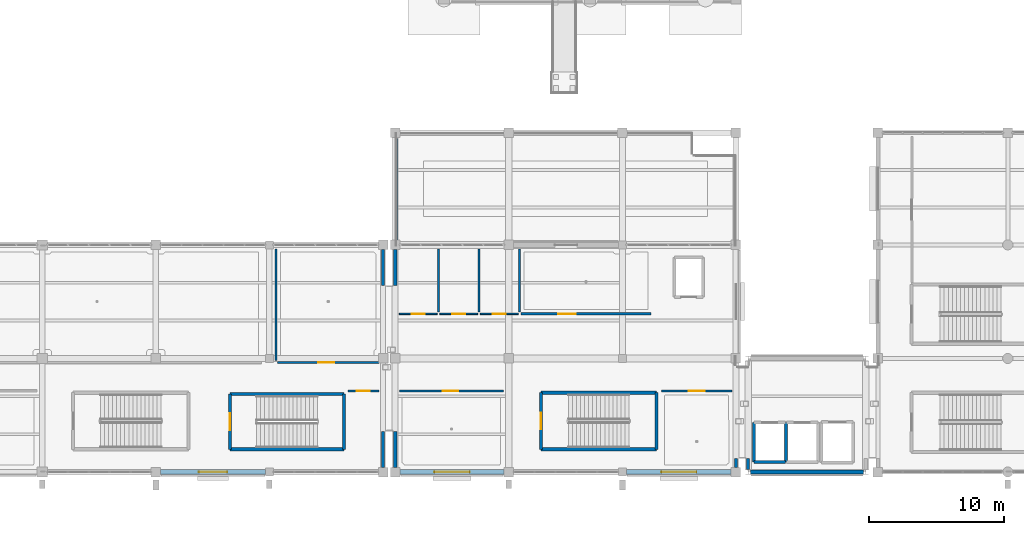
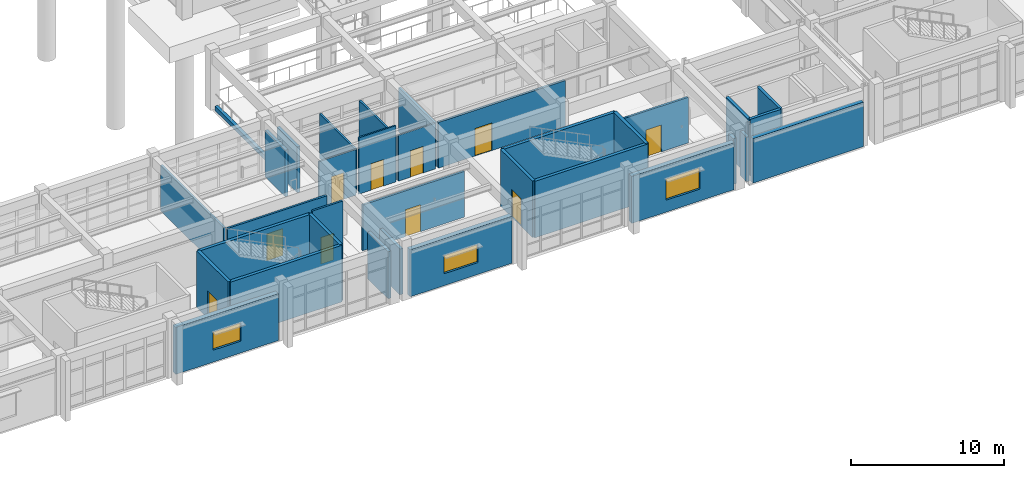
# One storey, part 76 of 98: 34 walls, 10 doors, 3 windows, 13 openings.
"""IFC4 building model written with IfcOpenShell, lengths in metres."""

from ifc_helpers import new_model, si_unit, direction, frame, frame_2d, origin, place, context, subcontext, project, spatial, rectangle, extrude, material, layer, layer_set, type_object, element, fill, save


model = new_model("IFC4")

# Units and contexts
model_context = context("Model", 3, precision=1e-05, world=origin(), true_north=direction((0.0, 1.0)))
body_context = subcontext(model_context, "Body", "Model", "MODEL_VIEW")
ifc_project = project(units=[si_unit("LENGTHUNIT", "METRE"), si_unit("AREAUNIT", "SQUARE_METRE"), si_unit("VOLUMEUNIT", "CUBIC_METRE"), si_unit("PLANEANGLEUNIT", "RADIAN"), si_unit("MASSUNIT", "GRAM", prefix="KILO")], contexts=[model_context])

# Site, building, storey
site_placement = place(None, origin())
site = spatial("IfcSite", under=ifc_project, at=site_placement, CompositionType="ELEMENT")
building_placement = place(site_placement, origin())
building = spatial("IfcBuilding", under=site, at=building_placement, Name="Canglan Escarpment Cableway Terminal", CompositionType="ELEMENT")
storey_placement = place(building_placement, frame((0.0, 0.0, 9.60009765625)))
storey = spatial("IfcBuildingStorey", under=building, at=storey_placement, Name="L02", CompositionType="ELEMENT", Elevation=9.60009765625)

# Walls
ifc_material_1 = material(Name="Concrete C40", Category="concrete")
ifc_layer_1 = layer(ifc_material_1, 0.239990234375, Name="Concrete C40")
ifc_layer_set_1 = layer_set([ifc_layer_1], Name="Concrete C40")
wall_type_1 = type_object("IfcWallType", Name="WL-CORE-SHEAR-240", PredefinedType="SHEAR", material=ifc_layer_set_1)
wall_1_placement = place(storey_placement, frame((99.280029296875, 9.679931640625, 0.0), z_axis=(0.0, 0.0, 1.0), x_axis=(1.0, 0.0, 0.0)))
element("IfcWall", 1, at=wall_1_placement, inside=storey, type_object=wall_type_1, Name="Protected stair core wall ST-14 (L02)", PredefinedType="SHEAR", context=body_context, shape_type="SweptSolid", body=[
    extrude(rectangle(XDim=8.43994140625, YDim=0.239990234375, at=frame_2d((4.219970703125, 0.0))), origin(), (0.0, 0.0, 1.0), 4.52001953125),
])
wall_2_placement = place(storey_placement, frame((107.719970703125, 9.679931640625, 0.0), z_axis=(0.0, 0.0, 1.0), x_axis=(0.0, 1.0, 0.0)))
element("IfcWall", 2, at=wall_2_placement, inside=storey, type_object=wall_type_1, Name="Protected stair core wall ST-14 (L02)", PredefinedType="SHEAR", context=body_context, shape_type="SweptSolid", body=[
    extrude(rectangle(XDim=4.090087890625, YDim=0.239990234375, at=frame_2d((2.044921875, 0.0))), origin(), (0.0, 0.0, 1.0), 4.52001953125),
])
wall_3_placement = place(storey_placement, frame((107.719970703125, 13.77001953125, 0.0), z_axis=(0.0, 0.0, 1.0), x_axis=(-1.0, 0.0, 0.0)))
element("IfcWall", 3, at=wall_3_placement, inside=storey, type_object=wall_type_1, Name="Protected stair core wall ST-14 (L02)", PredefinedType="SHEAR", context=body_context, shape_type="SweptSolid", body=[
    extrude(rectangle(XDim=8.43994140625, YDim=0.239990234375, at=frame_2d((4.219970703125, 0.0))), origin(), (0.0, 0.0, 1.0), 4.52001953125),
])

# Wall, opening, door
wall_4_placement = place(storey_placement, frame((99.280029296875, 13.77001953125, 0.0), z_axis=(0.0, 0.0, 1.0), x_axis=(0.0, -1.0, 0.0)))
wall_4 = element("IfcWall", 4, at=wall_4_placement, inside=storey, type_object=wall_type_1, Name="Protected stair core wall ST-14 (L02)", PredefinedType="SHEAR", context=body_context, shape_type="SweptSolid", body=[
    extrude(rectangle(XDim=4.090087890625, YDim=0.239990234375, at=frame_2d((2.044921875, 0.0))), origin(), (0.0, 0.0, 1.0), 4.52001953125),
])
opening_1_placement = place(wall_4_placement, frame((1.419921875, 0.0, 0.0)))
opening_1 = element("IfcOpeningElement", 5, at=opening_1_placement, cuts=wall_4, Name="Opening SD-D1", PredefinedType="OPENING", context=body_context, shape_type="SweptSolid", body=[
    extrude(rectangle(XDim=1.25, YDim=2.199951171875, at=frame_2d((0.625, 1.10009765625))), frame((0.0, 0.1298828125, 0.0), z_axis=(0.0, -1.0, 0.0), x_axis=(1.0, 0.0, 0.0)), (0.0, 0.0, 1.0), 0.260009765625),
])
ifc_material_2 = material(Name="Steel fire-resisting stair door", Category="steel")
door_type_1 = type_object("IfcDoorType", Name="DR-STAIR-EI90-1250", OperationType="NOTDEFINED", PredefinedType="DOOR", material=ifc_material_2)
door_1_placement = place(opening_1_placement, origin())
door_1 = element("IfcDoor", 6, at=door_1_placement, inside=storey, type_object=door_type_1, Name="Protected exit stair fire door ST-14 (L02)", OperationType="SINGLE_SWING_RIGHT", OverallHeight=2.199951171875, OverallWidth=1.25, PredefinedType="DOOR", context=body_context, shape_type="SweptSolid", body=[
    extrude(rectangle(XDim=1.25, YDim=2.199951171875, at=frame_2d((0.625, 1.10009765625))), frame((0.0, 0.02490234375, 0.0), z_axis=(0.0, -1.0, 0.0), x_axis=(1.0, 0.0, 0.0)), (0.0, 0.0, 1.0), 0.050048828125),
])
fill(opening_1, door_1)

# Walls
wall_5_placement = place(storey_placement, frame((122.280029296875, 9.679931640625, 0.0), z_axis=(0.0, 0.0, 1.0), x_axis=(1.0, 0.0, 0.0)))
element("IfcWall", 7, at=wall_5_placement, inside=storey, type_object=wall_type_1, Name="Protected stair core wall ST-07 (L02)", PredefinedType="SHEAR", context=body_context, shape_type="SweptSolid", body=[
    extrude(rectangle(XDim=8.5400390625, YDim=0.239990234375, at=frame_2d((4.27001953125, 0.0))), origin(), (0.0, 0.0, 1.0), 4.52001953125),
])
wall_6_placement = place(storey_placement, frame((130.820068359375, 9.679931640625, 0.0), z_axis=(0.0, 0.0, 1.0), x_axis=(0.0, 1.0, 0.0)))
element("IfcWall", 8, at=wall_6_placement, inside=storey, type_object=wall_type_1, Name="Protected stair core wall ST-07 (L02)", PredefinedType="SHEAR", context=body_context, shape_type="SweptSolid", body=[
    extrude(rectangle(XDim=4.190185546875, YDim=0.239990234375, at=frame_2d((2.09521484375, 0.0))), origin(), (0.0, 0.0, 1.0), 4.52001953125),
])
wall_7_placement = place(storey_placement, frame((130.820068359375, 13.8701171875, 0.0), z_axis=(0.0, 0.0, 1.0), x_axis=(-1.0, 0.0, 0.0)))
element("IfcWall", 9, at=wall_7_placement, inside=storey, type_object=wall_type_1, Name="Protected stair core wall ST-07 (L02)", PredefinedType="SHEAR", context=body_context, shape_type="SweptSolid", body=[
    extrude(rectangle(XDim=8.5400390625, YDim=0.239990234375, at=frame_2d((4.27001953125, 0.0))), origin(), (0.0, 0.0, 1.0), 4.52001953125),
])

# Wall, opening, door
wall_8_placement = place(storey_placement, frame((122.280029296875, 13.8701171875, 0.0), z_axis=(0.0, 0.0, 1.0), x_axis=(0.0, -1.0, 0.0)))
wall_8 = element("IfcWall", 10, at=wall_8_placement, inside=storey, type_object=wall_type_1, Name="Protected stair core wall ST-07 (L02)", PredefinedType="SHEAR", context=body_context, shape_type="SweptSolid", body=[
    extrude(rectangle(XDim=4.190185546875, YDim=0.239990234375, at=frame_2d((2.09521484375, 0.0))), origin(), (0.0, 0.0, 1.0), 4.52001953125),
])
opening_2_placement = place(wall_8_placement, frame((1.469970703125, 0.0, 0.0)))
opening_2 = element("IfcOpeningElement", 11, at=opening_2_placement, cuts=wall_8, Name="Opening SD-D1", PredefinedType="OPENING", context=body_context, shape_type="SweptSolid", body=[
    extrude(rectangle(XDim=1.25, YDim=2.199951171875, at=frame_2d((0.625, 1.10009765625))), frame((0.0, 0.1298828125, 0.0), z_axis=(0.0, -1.0, 0.0), x_axis=(1.0, 0.0, 0.0)), (0.0, 0.0, 1.0), 0.260009765625),
])
door_2_placement = place(opening_2_placement, origin())
door_2 = element("IfcDoor", 12, at=door_2_placement, inside=storey, type_object=door_type_1, Name="Protected exit stair fire door ST-07 (L02)", OperationType="SINGLE_SWING_LEFT", OverallHeight=2.199951171875, OverallWidth=1.25, PredefinedType="DOOR", context=body_context, shape_type="SweptSolid", body=[
    extrude(rectangle(XDim=1.25, YDim=2.199951171875, at=frame_2d((0.625, 1.10009765625))), frame((0.0, 0.02490234375, 0.0), z_axis=(0.0, -1.0, 0.0), x_axis=(1.0, 0.0, 0.0)), (0.0, 0.0, 1.0), 0.050048828125),
])
fill(opening_2, door_2)

# Walls
ifc_material_3 = material(Name="Dressed ashlar limestone on Concrete C40", Category="masonry")
ifc_layer_2 = layer(ifc_material_3, 0.320068359375, Name="Dressed ashlar limestone on Concrete C40")
ifc_layer_set_2 = layer_set([ifc_layer_2], Name="Dressed ashlar limestone on Concrete C40")
wall_type_2 = type_object("IfcWallType", Name="WL-EXT-ASHLAR-320", PredefinedType="STANDARD", material=ifc_layer_set_2)
wall_9_placement = place(storey_placement, frame((137.77490234375, 8.0, 0.0), z_axis=(0.0, 0.0, 1.0), x_axis=(1.0, 0.0, 0.0)))
element("IfcWall", 13, at=wall_9_placement, inside=storey, type_object=wall_type_2, Name="Classical stone-faced exterior wall EW-FB5A-L02-S-01", PredefinedType="STANDARD", context=body_context, shape_type="SweptSolid", body=[
    extrude(rectangle(XDim=8.35009765625, YDim=0.320068359375, at=frame_2d((4.175048828125, 0.0))), origin(), (0.0, 0.0, 1.0), 3.554931640625),
])
ifc_material_4 = material(Name="Insulated stone-faced spandrel wall", Category="masonry")
ifc_layer_3 = layer(ifc_material_4, 0.22998046875, Name="Insulated stone-faced spandrel wall")
ifc_layer_set_3 = layer_set([ifc_layer_3], Name="Insulated stone-faced spandrel wall")
wall_type_3 = type_object("IfcWallType", Name="WL-EXT-LINK-230", PredefinedType="STANDARD", material=ifc_layer_set_3)
wall_10_placement = place(storey_placement, frame((110.60009765625, 8.35009765625, 0.0), z_axis=(0.0, 0.0, 1.0), x_axis=(0.0, 1.0, 0.0)))
element("IfcWall", 14, at=wall_10_placement, inside=storey, type_object=wall_type_3, Name="Classical stone-faced exterior wall EW-FB3-L02-E-01-FL1", PredefinedType="STANDARD", context=body_context, shape_type="SweptSolid", body=[
    extrude(rectangle(XDim=2.64990234375, YDim=0.22998046875, at=frame_2d((1.324951171875, 0.0))), origin(), (0.0, 0.0, 1.0), 3.7548828125),
])
wall_11_placement = place(storey_placement, frame((110.60009765625, 21.800048828125, 0.0), z_axis=(0.0, 0.0, 1.0), x_axis=(0.0, 1.0, 0.0)))
element("IfcWall", 15, at=wall_11_placement, inside=storey, type_object=wall_type_3, Name="Classical stone-faced exterior wall EW-FB3-L02-E-02-FL2", PredefinedType="STANDARD", context=body_context, shape_type="SweptSolid", body=[
    extrude(rectangle(XDim=2.64990234375, YDim=0.22998046875, at=frame_2d((1.324951171875, 0.0))), origin(), (0.0, 0.0, 1.0), 3.71484375),
])
wall_12_placement = place(storey_placement, frame((136.699951171875, 8.35009765625, 0.0), z_axis=(0.0, 0.0, 1.0), x_axis=(0.0, 1.0, 0.0)))
element("IfcWall", 16, at=wall_12_placement, inside=storey, type_object=wall_type_3, Name="Classical stone-faced exterior wall EW-FB4-L02-E-01-FL1", PredefinedType="STANDARD", context=body_context, shape_type="SweptSolid", body=[
    extrude(rectangle(XDim=0.64990234375, YDim=0.22998046875, at=frame_2d((0.324951171875, 0.0))), origin(), (0.0, 0.0, 1.0), 3.65478515625),
])
for number, where, z_axis, x_axis, name in (
    (17, (111.5, 8.35009765625, 0.0), (0.0, 0.0, 1.0), (0.0, 1.0, 0.0), "Classical stone-faced exterior wall EW-FB4-L02-W-01-FL1"),
    (18, (111.5, 21.800048828125, 0.0), (0.0, 0.0, 1.0), (0.0, 1.0, 0.0), "Classical stone-faced exterior wall EW-FB4-L02-W-02-FL2"),
):
    element("IfcWall", number, at=place(storey_placement, frame(where, z_axis=z_axis, x_axis=x_axis)), inside=storey, type_object=wall_type_3, Name=name, PredefinedType="STANDARD", context=body_context, shape_type="SweptSolid", body=[
        extrude(rectangle(XDim=2.64990234375, YDim=0.22998046875, at=frame_2d((1.324951171875, 0.0))), origin(), (0.0, 0.0, 1.0), 3.65478515625),
    ])
wall_13_placement = place(storey_placement, frame((137.60009765625, 8.175048828125, 0.0), z_axis=(0.0, 0.0, 1.0), x_axis=(0.0, 1.0, 0.0)))
element("IfcWall", 19, at=wall_13_placement, inside=storey, type_object=wall_type_3, Name="Classical stone-faced exterior wall EW-FB5A-L02-W-01-FL1", PredefinedType="STANDARD", context=body_context, shape_type="SweptSolid", body=[
    extrude(rectangle(XDim=0.824951171875, YDim=0.22998046875, at=frame_2d((0.41259765625, 0.0))), origin(), (0.0, 0.0, 1.0), 3.554931640625),
])

# Wall, opening, window
ifc_material_5 = material(Name="Rusticated limestone masonry on Concrete C40", Category="masonry")
ifc_layer_4 = layer(ifc_material_5, 0.360107421875, Name="Rusticated limestone masonry on Concrete C40")
ifc_layer_set_4 = layer_set([ifc_layer_4], Name="Rusticated limestone masonry on Concrete C40")
wall_type_4 = type_object("IfcWallType", Name="WL-EXT-RUST-360", PredefinedType="STANDARD", material=ifc_layer_set_4)
wall_14_placement = place(storey_placement, frame((94.14990234375, 8.0, 0.0), z_axis=(0.0, 0.0, 1.0), x_axis=(1.0, 0.0, 0.0)))
wall_14 = element("IfcWall", 20, at=wall_14_placement, inside=storey, type_object=wall_type_4, Name="Classical stone-faced exterior wall EW-FB3-L02-S-03", PredefinedType="STANDARD", context=body_context, shape_type="SweptSolid", body=[
    extrude(rectangle(XDim=7.75, YDim=0.360107421875, at=frame_2d((3.875, 0.0))), origin(), (0.0, 0.0, 1.0), 3.7548828125),
])
opening_3_placement = place(wall_14_placement, frame((2.824951171875, 0.0, 0.949951171875)))
opening_3 = element("IfcOpeningElement", 21, at=opening_3_placement, cuts=wall_14, Name="Opening W-17", PredefinedType="OPENING", context=body_context, shape_type="SweptSolid", body=[
    extrude(rectangle(XDim=2.10009765625, YDim=1.449951171875, at=frame_2d((1.050048828125, 0.72509765625))), frame((0.0, 0.18994140625, 0.0), z_axis=(0.0, -1.0, 0.0), x_axis=(1.0, 0.0, 0.0)), (0.0, 0.0, 1.0), 0.380126953125),
])
ifc_material_6 = material(Name="Anodized bronze aluminium and Low-E double glazing", Category="aluminium")
window_type_1 = type_object("IfcWindowType", Name="WIN-EXT-17", PartitioningType="DOUBLE_PANEL_VERTICAL", PredefinedType="WINDOW", material=ifc_material_6)
window_1_placement = place(opening_3_placement, origin())
window_1 = element("IfcWindow", 22, at=window_1_placement, inside=storey, type_object=window_type_1, Name="Classical module window W-17", OverallHeight=1.449951171875, OverallWidth=2.10009765625, PartitioningType="SINGLE_PANEL", PredefinedType="WINDOW", context=body_context, shape_type="SweptSolid", body=[
    extrude(rectangle(XDim=2.10009765625, YDim=1.449951171875, at=frame_2d((1.050048828125, 0.72509765625))), frame((0.0, 0.030029296875, 0.0), z_axis=(0.0, -1.0, 0.0), x_axis=(1.0, 0.0, 0.0)), (0.0, 0.0, 1.0), 0.06005859375),
])
fill(opening_3, window_1)

wall_15_placement = place(storey_placement, frame((111.85009765625, 8.0, 0.0), z_axis=(0.0, 0.0, 1.0), x_axis=(1.0, 0.0, 0.0)))
wall_15 = element("IfcWall", 23, at=wall_15_placement, inside=storey, type_object=wall_type_4, Name="Classical stone-faced exterior wall EW-FB4-L02-S-01", PredefinedType="STANDARD", context=body_context, shape_type="SweptSolid", body=[
    extrude(rectangle(XDim=7.699951171875, YDim=0.360107421875, at=frame_2d((3.85009765625, 0.0))), origin(), (0.0, 0.0, 1.0), 3.7548828125),
])
opening_4_placement = place(wall_15_placement, frame((2.550048828125, 0.0, 0.949951171875)))
opening_4 = element("IfcOpeningElement", 24, at=opening_4_placement, cuts=wall_15, Name="Opening W-25", PredefinedType="OPENING", context=body_context, shape_type="SweptSolid", body=[
    extrude(rectangle(XDim=2.60009765625, YDim=1.449951171875, at=frame_2d((1.300048828125, 0.72509765625))), frame((0.0, 0.18994140625, 0.0), z_axis=(0.0, -1.0, 0.0), x_axis=(1.0, 0.0, 0.0)), (0.0, 0.0, 1.0), 0.380126953125),
])
window_type_2 = type_object("IfcWindowType", Name="WIN-EXT-25", PartitioningType="DOUBLE_PANEL_VERTICAL", PredefinedType="WINDOW", material=ifc_material_6)
window_2_placement = place(opening_4_placement, origin())
window_2 = element("IfcWindow", 25, at=window_2_placement, inside=storey, type_object=window_type_2, Name="Classical module window W-25", OverallHeight=1.449951171875, OverallWidth=2.60009765625, PartitioningType="SINGLE_PANEL", PredefinedType="WINDOW", context=body_context, shape_type="SweptSolid", body=[
    extrude(rectangle(XDim=2.60009765625, YDim=1.449951171875, at=frame_2d((1.300048828125, 0.72509765625))), frame((0.0, 0.030029296875, 0.0), z_axis=(0.0, -1.0, 0.0), x_axis=(1.0, 0.0, 0.0)), (0.0, 0.0, 1.0), 0.06005859375),
])
fill(opening_4, window_2)

wall_16_placement = place(storey_placement, frame((128.60009765625, 8.0, 0.0), z_axis=(0.0, 0.0, 1.0), x_axis=(1.0, 0.0, 0.0)))
wall_16 = element("IfcWall", 26, at=wall_16_placement, inside=storey, type_object=wall_type_4, Name="Classical stone-faced exterior wall EW-FB4-L02-S-03", PredefinedType="STANDARD", context=body_context, shape_type="SweptSolid", body=[
    extrude(rectangle(XDim=7.75, YDim=0.360107421875, at=frame_2d((3.875, 0.0))), origin(), (0.0, 0.0, 1.0), 3.7548828125),
])
opening_5_placement = place(wall_16_placement, frame((2.574951171875, 0.0, 0.949951171875)))
opening_5 = element("IfcOpeningElement", 27, at=opening_5_placement, cuts=wall_16, Name="Opening W-26", PredefinedType="OPENING", context=body_context, shape_type="SweptSolid", body=[
    extrude(rectangle(XDim=2.60009765625, YDim=1.699951171875, at=frame_2d((1.300048828125, 0.85009765625))), frame((0.0, 0.18994140625, 0.0), z_axis=(0.0, -1.0, 0.0), x_axis=(1.0, 0.0, 0.0)), (0.0, 0.0, 1.0), 0.380126953125),
])
window_type_3 = type_object("IfcWindowType", Name="WIN-EXT-26", PartitioningType="DOUBLE_PANEL_VERTICAL", PredefinedType="WINDOW", material=ifc_material_6)
window_3_placement = place(opening_5_placement, origin())
window_3 = element("IfcWindow", 28, at=window_3_placement, inside=storey, type_object=window_type_3, Name="Classical module window W-26", OverallHeight=1.699951171875, OverallWidth=2.60009765625, PartitioningType="SINGLE_PANEL", PredefinedType="WINDOW", context=body_context, shape_type="SweptSolid", body=[
    extrude(rectangle(XDim=2.60009765625, YDim=1.699951171875, at=frame_2d((1.300048828125, 0.85009765625))), frame((0.0, 0.030029296875, 0.0), z_axis=(0.0, -1.0, 0.0), x_axis=(1.0, 0.0, 0.0)), (0.0, 0.0, 1.0), 0.06005859375),
])
fill(opening_5, window_3)

# Wall, opening, door
ifc_material_7 = material(Name="Autoclaved aerated concrete blockwork", Category="masonry")
ifc_layer_5 = layer(ifc_material_7, 0.179931640625, Name="Autoclaved aerated concrete blockwork")
ifc_layer_set_5 = layer_set([ifc_layer_5], Name="Autoclaved aerated concrete blockwork")
wall_type_5 = type_object("IfcWallType", Name="WL-INT-FIRE-180-EI60", PredefinedType="PARTITIONING", material=ifc_layer_set_5)
wall_17_placement = place(storey_placement, frame((120.800048828125, 19.699951171875, 0.0), z_axis=(0.0, 0.0, 1.0), x_axis=(1.0, 0.0, 0.0)))
wall_17 = element("IfcWall", 29, at=wall_17_placement, inside=storey, type_object=wall_type_5, Name="Interior partition wall IW-L02-12-MAIN", PredefinedType="PARTITIONING", context=body_context, shape_type="SweptSolid", body=[
    extrude(rectangle(XDim=9.599853515625, YDim=0.179931640625, at=frame_2d((4.7998046875, 0.0))), origin(), (0.0, 0.0, 1.0), 3.65478515625),
])
opening_6_placement = place(wall_17_placement, frame((2.75, 0.0, 0.0)))
opening_6 = element("IfcOpeningElement", 30, at=opening_6_placement, cuts=wall_17, Name="Opening ID-13", PredefinedType="OPENING", context=body_context, shape_type="SweptSolid", body=[
    extrude(rectangle(XDim=1.300048828125, YDim=2.199951171875, at=frame_2d((0.64990234375, 1.10009765625))), frame((0.0, 0.10009765625, 0.0), z_axis=(0.0, -1.0, 0.0), x_axis=(1.0, 0.0, 0.0)), (0.0, 0.0, 1.0), 0.199951171875),
])
ifc_material_8 = material(Name="Stained oak and safety glass door", Category="glass")
door_type_2 = type_object("IfcDoorType", Name="DR-INT-ID-13", OperationType="NOTDEFINED", PredefinedType="DOOR", material=ifc_material_8)
door_3_placement = place(opening_6_placement, origin())
door_3 = element("IfcDoor", 31, at=door_3_placement, inside=storey, type_object=door_type_2, Name="Cableway Safety Archive Room door ID-13", OperationType="SINGLE_SWING_RIGHT", OverallHeight=2.199951171875, OverallWidth=1.300048828125, PredefinedType="DOOR", context=body_context, shape_type="SweptSolid", body=[
    extrude(rectangle(XDim=1.300048828125, YDim=2.199951171875, at=frame_2d((0.64990234375, 1.10009765625))), frame((0.0, 0.02490234375, 0.0), z_axis=(0.0, -1.0, 0.0), x_axis=(1.0, 0.0, 0.0)), (0.0, 0.0, 1.0), 0.050048828125),
])
fill(opening_6, door_3)

ifc_material_9 = material(Name="Moisture-resistant tile-faced partition", Category="gypsum")
ifc_layer_6 = layer(ifc_material_9, 0.1201171875, Name="Moisture-resistant tile-faced partition")
ifc_layer_set_6 = layer_set([ifc_layer_6], Name="Moisture-resistant tile-faced partition")
wall_type_6 = type_object("IfcWallType", Name="WL-INT-PART-120", PredefinedType="PARTITIONING", material=ifc_layer_set_6)
wall_18_placement = place(storey_placement, frame((111.800048828125, 19.699951171875, 0.0), z_axis=(0.0, 0.0, 1.0), x_axis=(1.0, 0.0, 0.0)))
wall_18 = element("IfcWall", 32, at=wall_18_placement, inside=storey, type_object=wall_type_6, Name="Interior partition wall IW-L02-09-MAIN", PredefinedType="PARTITIONING", context=body_context, shape_type="SweptSolid", body=[
    extrude(rectangle(XDim=2.800048828125, YDim=0.1201171875, at=frame_2d((1.39990234375, 0.0))), origin(), (0.0, 0.0, 1.0), 3.65478515625),
])
opening_7_placement = place(wall_18_placement, frame((0.925048828125, 0.0, 0.0)))
opening_7 = element("IfcOpeningElement", 33, at=opening_7_placement, cuts=wall_18, Name="Opening ID-01", PredefinedType="OPENING", context=body_context, shape_type="SweptSolid", body=[
    extrude(rectangle(XDim=0.949951171875, YDim=2.1201171875, at=frame_2d((0.47509765625, 1.06005859375))), frame((0.0, 0.070068359375, 0.0), z_axis=(0.0, -1.0, 0.0), x_axis=(1.0, 0.0, 0.0)), (0.0, 0.0, 1.0), 0.14013671875),
])
door_type_3 = type_object("IfcDoorType", Name="DR-INT-ID-01", OperationType="NOTDEFINED", PredefinedType="DOOR", material=ifc_material_8)
door_4_placement = place(opening_7_placement, origin())
door_4 = element("IfcDoor", 34, at=door_4_placement, inside=storey, type_object=door_type_3, Name="Accessible WC door ID-01", OperationType="SINGLE_SWING_LEFT", OverallHeight=2.1201171875, OverallWidth=0.949951171875, PredefinedType="DOOR", context=body_context, shape_type="SweptSolid", body=[
    extrude(rectangle(XDim=0.949951171875, YDim=2.1201171875, at=frame_2d((0.47509765625, 1.06005859375))), frame((0.0, 0.02490234375, 0.0), z_axis=(0.0, -1.0, 0.0), x_axis=(1.0, 0.0, 0.0)), (0.0, 0.0, 1.0), 0.050048828125),
])
fill(opening_7, door_4)

wall_19_placement = place(storey_placement, frame((114.800048828125, 19.699951171875, 0.0), z_axis=(0.0, 0.0, 1.0), x_axis=(1.0, 0.0, 0.0)))
wall_19 = element("IfcWall", 35, at=wall_19_placement, inside=storey, type_object=wall_type_6, Name="Interior partition wall IW-L02-10-MAIN", PredefinedType="PARTITIONING", context=body_context, shape_type="SweptSolid", body=[
    extrude(rectangle(XDim=2.800048828125, YDim=0.1201171875, at=frame_2d((1.39990234375, 0.0))), origin(), (0.0, 0.0, 1.0), 4.5048828125),
])
opening_8_placement = place(wall_19_placement, frame((0.925048828125, 0.0, 0.0)))
opening_8 = element("IfcOpeningElement", 36, at=opening_8_placement, cuts=wall_19, Name="Opening ID-01", PredefinedType="OPENING", context=body_context, shape_type="SweptSolid", body=[
    extrude(rectangle(XDim=0.949951171875, YDim=2.1201171875, at=frame_2d((0.47509765625, 1.06005859375))), frame((0.0, 0.070068359375, 0.0), z_axis=(0.0, -1.0, 0.0), x_axis=(1.0, 0.0, 0.0)), (0.0, 0.0, 1.0), 0.14013671875),
])
door_5_placement = place(opening_8_placement, origin())
door_5 = element("IfcDoor", 37, at=door_5_placement, inside=storey, type_object=door_type_3, Name="Male WC door ID-01", OperationType="SINGLE_SWING_RIGHT", OverallHeight=2.1201171875, OverallWidth=0.949951171875, PredefinedType="DOOR", context=body_context, shape_type="SweptSolid", body=[
    extrude(rectangle(XDim=0.949951171875, YDim=2.1201171875, at=frame_2d((0.47509765625, 1.06005859375))), frame((0.0, 0.02490234375, 0.0), z_axis=(0.0, -1.0, 0.0), x_axis=(1.0, 0.0, 0.0)), (0.0, 0.0, 1.0), 0.050048828125),
])
fill(opening_8, door_5)

wall_20_placement = place(storey_placement, frame((117.800048828125, 19.699951171875, 0.0), z_axis=(0.0, 0.0, 1.0), x_axis=(1.0, 0.0, 0.0)))
wall_20 = element("IfcWall", 38, at=wall_20_placement, inside=storey, type_object=wall_type_6, Name="Interior partition wall IW-L02-11-MAIN", PredefinedType="PARTITIONING", context=body_context, shape_type="SweptSolid", body=[
    extrude(rectangle(XDim=2.800048828125, YDim=0.1201171875, at=frame_2d((1.39990234375, 0.0))), origin(), (0.0, 0.0, 1.0), 3.65478515625),
])
opening_9_placement = place(wall_20_placement, frame((0.925048828125, 0.0, 0.0)))
opening_9 = element("IfcOpeningElement", 39, at=opening_9_placement, cuts=wall_20, Name="Opening ID-01", PredefinedType="OPENING", context=body_context, shape_type="SweptSolid", body=[
    extrude(rectangle(XDim=0.949951171875, YDim=2.1201171875, at=frame_2d((0.47509765625, 1.06005859375))), frame((0.0, 0.070068359375, 0.0), z_axis=(0.0, -1.0, 0.0), x_axis=(1.0, 0.0, 0.0)), (0.0, 0.0, 1.0), 0.14013671875),
])
door_6_placement = place(opening_9_placement, origin())
door_6 = element("IfcDoor", 40, at=door_6_placement, inside=storey, type_object=door_type_3, Name="Female WC door ID-01", OperationType="SINGLE_SWING_LEFT", OverallHeight=2.1201171875, OverallWidth=0.949951171875, PredefinedType="DOOR", context=body_context, shape_type="SweptSolid", body=[
    extrude(rectangle(XDim=0.949951171875, YDim=2.1201171875, at=frame_2d((0.47509765625, 1.06005859375))), frame((0.0, 0.02490234375, 0.0), z_axis=(0.0, -1.0, 0.0), x_axis=(1.0, 0.0, 0.0)), (0.0, 0.0, 1.0), 0.050048828125),
])
fill(opening_9, door_6)

ifc_material_10 = material(Name="Acoustic double-stud gypsum partition", Category="gypsum")
ifc_layer_7 = layer(ifc_material_10, 0.14990234375, Name="Acoustic double-stud gypsum partition")
ifc_layer_set_7 = layer_set([ifc_layer_7], Name="Acoustic double-stud gypsum partition")
wall_type_7 = type_object("IfcWallType", Name="WL-INT-PART-150", PredefinedType="PARTITIONING", material=ifc_layer_set_7)
wall_21_placement = place(storey_placement, frame((102.800048828125, 16.10009765625, 0.0), z_axis=(0.0, 0.0, 1.0), x_axis=(1.0, 0.0, 0.0)))
wall_21 = element("IfcWall", 41, at=wall_21_placement, inside=storey, type_object=wall_type_7, Name="Interior partition wall IW-L02-07-MAIN", PredefinedType="PARTITIONING", context=body_context, shape_type="SweptSolid", body=[
    extrude(rectangle(XDim=7.5, YDim=0.14990234375, at=frame_2d((3.75, 0.0))), origin(), (0.0, 0.0, 1.0), 3.65478515625),
])
opening_10_placement = place(wall_21_placement, frame((3.0, 0.0, 0.0)))
opening_10 = element("IfcOpeningElement", 42, at=opening_10_placement, cuts=wall_21, Name="Opening ID-09", PredefinedType="OPENING", context=body_context, shape_type="SweptSolid", body=[
    extrude(rectangle(XDim=1.199951171875, YDim=2.14990234375, at=frame_2d((0.60009765625, 1.074951171875))), frame((0.0, 0.0849609375, 0.0), z_axis=(0.0, -1.0, 0.0), x_axis=(1.0, 0.0, 0.0)), (0.0, 0.0, 1.0), 0.169921875),
])
door_type_4 = type_object("IfcDoorType", Name="DR-INT-ID-09", OperationType="NOTDEFINED", PredefinedType="DOOR", material=ifc_material_8)
door_7_placement = place(opening_10_placement, origin())
door_7 = element("IfcDoor", 43, at=door_7_placement, inside=storey, type_object=door_type_4, Name="Staff Changing and Welfare Suite door ID-09", OperationType="SINGLE_SWING_LEFT", OverallHeight=2.14990234375, OverallWidth=1.199951171875, PredefinedType="DOOR", context=body_context, shape_type="SweptSolid", body=[
    extrude(rectangle(XDim=1.199951171875, YDim=2.14990234375, at=frame_2d((0.60009765625, 1.074951171875))), frame((0.0, 0.02490234375, 0.0), z_axis=(0.0, -1.0, 0.0), x_axis=(1.0, 0.0, 0.0)), (0.0, 0.0, 1.0), 0.050048828125),
])
fill(opening_10, door_7)

# Walls
wall_22_placement = place(storey_placement, frame((102.699951171875, 16.25, 0.0), z_axis=(0.0, 0.0, 1.0), x_axis=(0.0, 1.0, 0.0)))
element("IfcWall", 44, at=wall_22_placement, inside=storey, type_object=wall_type_7, Name="Interior partition wall IW-L02-07-SIDE", PredefinedType="PARTITIONING", context=body_context, shape_type="SweptSolid", body=[
    extrude(rectangle(XDim=8.25, YDim=0.14990234375, at=frame_2d((4.125, 0.0))), origin(), (0.0, 0.0, 1.0), 3.65478515625),
])
for number, where, z_axis, x_axis, name in (
    (45, (114.699951171875, 19.85009765625, 0.0), (0.0, 0.0, 1.0), (0.0, 1.0, 0.0), "Interior partition wall IW-L02-10-SIDE"),
    (46, (117.699951171875, 19.85009765625, 0.0), (0.0, 0.0, 1.0), (0.0, 1.0, 0.0), "Interior partition wall IW-L02-11-SIDE"),
    (47, (120.699951171875, 19.85009765625, 0.0), (0.0, 0.0, 1.0), (0.0, 1.0, 0.0), "Interior partition wall IW-L02-12-SIDE"),
):
    element("IfcWall", number, at=place(storey_placement, frame(where, z_axis=z_axis, x_axis=x_axis)), inside=storey, type_object=wall_type_7, Name=name, PredefinedType="PARTITIONING", context=body_context, shape_type="SweptSolid", body=[
        extrude(rectangle(XDim=4.64990234375, YDim=0.14990234375, at=frame_2d((2.324951171875, 0.0))), origin(), (0.0, 0.0, 1.0), 3.554931640625),
    ])

# Wall, opening, door
wall_23_placement = place(storey_placement, frame((111.800048828125, 14.0, 0.0), z_axis=(0.0, 0.0, 1.0), x_axis=(1.0, 0.0, 0.0)))
wall_23 = element("IfcWall", 48, at=wall_23_placement, inside=storey, type_object=wall_type_7, Name="Interior partition wall IW-L02-13-MAIN", PredefinedType="PARTITIONING", context=body_context, shape_type="SweptSolid", body=[
    extrude(rectangle(XDim=7.699951171875, YDim=0.14990234375, at=frame_2d((3.85009765625, 0.0))), origin(), (0.0, 0.0, 1.0), 3.65478515625),
])
opening_11_placement = place(wall_23_placement, frame((3.22509765625, 0.0, 0.0)))
opening_11 = element("IfcOpeningElement", 49, at=opening_11_placement, cuts=wall_23, Name="Opening ID-07", PredefinedType="OPENING", context=body_context, shape_type="SweptSolid", body=[
    extrude(rectangle(XDim=1.14990234375, YDim=2.14990234375, at=frame_2d((0.574951171875, 1.074951171875))), frame((0.0, 0.0849609375, 0.0), z_axis=(0.0, -1.0, 0.0), x_axis=(1.0, 0.0, 0.0)), (0.0, 0.0, 1.0), 0.169921875),
])
door_type_5 = type_object("IfcDoorType", Name="DR-INT-ID-07", OperationType="NOTDEFINED", PredefinedType="DOOR", material=ifc_material_8)
door_8_placement = place(opening_11_placement, origin())
door_8 = element("IfcDoor", 50, at=door_8_placement, inside=storey, type_object=door_type_5, Name="First Aid Station door ID-07", OperationType="SINGLE_SWING_LEFT", OverallHeight=2.14990234375, OverallWidth=1.14990234375, PredefinedType="DOOR", context=body_context, shape_type="SweptSolid", body=[
    extrude(rectangle(XDim=1.14990234375, YDim=2.14990234375, at=frame_2d((0.574951171875, 1.074951171875))), frame((0.0, 0.02490234375, 0.0), z_axis=(0.0, -1.0, 0.0), x_axis=(1.0, 0.0, 0.0)), (0.0, 0.0, 1.0), 0.050048828125),
])
fill(opening_11, door_8)

wall_24_placement = place(storey_placement, frame((108.0, 14.0, 0.0), z_axis=(0.0, 0.0, 1.0), x_axis=(1.0, 0.0, 0.0)))
wall_24 = element("IfcWall", 51, at=wall_24_placement, inside=storey, type_object=wall_type_7, Name="Interior partition wall IW-L02-20-MAIN", PredefinedType="PARTITIONING", context=body_context, shape_type="SweptSolid", body=[
    extrude(rectangle(XDim=2.300048828125, YDim=0.14990234375, at=frame_2d((1.14990234375, 0.0))), origin(), (0.0, 0.0, 1.0), 4.5048828125),
])
opening_12_placement = place(wall_24_placement, frame((0.675048828125, 0.0, 0.0)))
opening_12 = element("IfcOpeningElement", 52, at=opening_12_placement, cuts=wall_24, Name="Opening ID-01", PredefinedType="OPENING", context=body_context, shape_type="SweptSolid", body=[
    extrude(rectangle(XDim=0.949951171875, YDim=2.1201171875, at=frame_2d((0.47509765625, 1.06005859375))), frame((0.0, 0.0849609375, 0.0), z_axis=(0.0, -1.0, 0.0), x_axis=(1.0, 0.0, 0.0)), (0.0, 0.0, 1.0), 0.169921875),
])
door_9_placement = place(opening_12_placement, origin())
door_9 = element("IfcDoor", 53, at=door_9_placement, inside=storey, type_object=door_type_3, Name="Cloister Overlook Lounge door ID-01", OperationType="SINGLE_SWING_RIGHT", OverallHeight=2.1201171875, OverallWidth=0.949951171875, PredefinedType="DOOR", context=body_context, shape_type="SweptSolid", body=[
    extrude(rectangle(XDim=0.949951171875, YDim=2.1201171875, at=frame_2d((0.47509765625, 1.06005859375))), frame((0.0, 0.02490234375, 0.0), z_axis=(0.0, -1.0, 0.0), x_axis=(1.0, 0.0, 0.0)), (0.0, 0.0, 1.0), 0.050048828125),
])
fill(opening_12, door_9)

wall_25_placement = place(storey_placement, frame((131.199951171875, 14.0, 0.0), z_axis=(0.0, 0.0, 1.0), x_axis=(1.0, 0.0, 0.0)))
wall_25 = element("IfcWall", 54, at=wall_25_placement, inside=storey, type_object=wall_type_7, Name="Interior partition wall IW-L02-21-MAIN", PredefinedType="PARTITIONING", context=body_context, shape_type="SweptSolid", body=[
    extrude(rectangle(XDim=5.199951171875, YDim=0.14990234375, at=frame_2d((2.60009765625, 0.0))), origin(), (0.0, 0.0, 1.0), 3.65478515625),
])
opening_13_placement = place(wall_25_placement, frame((2.02490234375, 0.0, 0.0)))
opening_13 = element("IfcOpeningElement", 55, at=opening_13_placement, cuts=wall_25, Name="Opening ID-07", PredefinedType="OPENING", context=body_context, shape_type="SweptSolid", body=[
    extrude(rectangle(XDim=1.14990234375, YDim=2.14990234375, at=frame_2d((0.574951171875, 1.074951171875))), frame((0.0, 0.0849609375, 0.0), z_axis=(0.0, -1.0, 0.0), x_axis=(1.0, 0.0, 0.0)), (0.0, 0.0, 1.0), 0.169921875),
])
door_10_placement = place(opening_13_placement, origin())
door_10 = element("IfcDoor", 56, at=door_10_placement, inside=storey, type_object=door_type_5, Name="Alpine Tea Tasting Room door ID-07", OperationType="SINGLE_SWING_LEFT", OverallHeight=2.14990234375, OverallWidth=1.14990234375, PredefinedType="DOOR", context=body_context, shape_type="SweptSolid", body=[
    extrude(rectangle(XDim=1.14990234375, YDim=2.14990234375, at=frame_2d((0.574951171875, 1.074951171875))), frame((0.0, 0.02490234375, 0.0), z_axis=(0.0, -1.0, 0.0), x_axis=(1.0, 0.0, 0.0)), (0.0, 0.0, 1.0), 0.050048828125),
])
fill(opening_13, door_10)

# Walls
ifc_material_11 = material(Name="Rusticated granite parapet wall", Category="masonry")
ifc_layer_8 = layer(ifc_material_11, 0.300048828125, Name="Rusticated granite parapet wall")
ifc_layer_set_8 = layer_set([ifc_layer_8], Name="Rusticated granite parapet wall")
wall_type_8 = type_object("IfcWallType", Name="WL-PAR-STONE-300", PredefinedType="PARAPET", material=ifc_layer_set_8)
wall_26_placement = place(storey_placement, frame((111.550048828125, 25.139892578125, 0.0), z_axis=(0.0, 0.0, 1.0), x_axis=(0.0, 1.0, 0.0)))
element("IfcWall", 57, at=wall_26_placement, inside=storey, type_object=wall_type_8, Name="Classical stone terrace plinth parapet PW-02", PredefinedType="PARAPET", context=body_context, shape_type="SweptSolid", body=[
    extrude(rectangle(XDim=7.508056640625, YDim=0.239990234375, at=frame_2d((3.75390625, 0.0))), origin(), (0.0, 0.0, 1.0), 0.33984375),
])
ifc_layer_9 = layer(ifc_material_1, 0.219970703125, Name="Concrete C40")
ifc_layer_set_9 = layer_set([ifc_layer_9], Name="Concrete C40")
wall_type_9 = type_object("IfcWallType", Name="WL-SHAFT-SHEAR-220", PredefinedType="SHEAR", material=ifc_layer_set_9)
wall_27_placement = place(storey_placement, frame((138.0400390625, 8.739990234375, 0.0), z_axis=(0.0, 0.0, 1.0), x_axis=(1.0, 0.0, 0.0)))
element("IfcWall", 58, at=wall_27_placement, inside=storey, type_object=wall_type_9, Name="Elevator core shaft wall LF-01 (L02)", PredefinedType="SHEAR", context=body_context, shape_type="SweptSolid", body=[
    extrude(rectangle(XDim=2.320068359375, YDim=0.219970703125, at=frame_2d((1.16015625, 0.0))), origin(), (0.0, 0.0, 1.0), 4.52001953125),
])
for number, where, z_axis, x_axis, name in (
    (59, (140.39990234375, 8.739990234375, 0.0), (0.0, 0.0, 1.0), (0.0, 1.0, 0.0), "Elevator core shaft wall LF-01 (L02)"),
    (60, (138.0400390625, 11.659912109375, 0.0), (0.0, 0.0, 1.0), (0.0, -1.0, 0.0), "Elevator core shaft wall LF-01 (L02)"),
):
    element("IfcWall", number, at=place(storey_placement, frame(where, z_axis=z_axis, x_axis=x_axis)), inside=storey, type_object=wall_type_9, Name=name, PredefinedType="SHEAR", context=body_context, shape_type="SweptSolid", body=[
        extrude(rectangle(XDim=2.919921875, YDim=0.219970703125, at=frame_2d((1.4599609375, 0.0))), origin(), (0.0, 0.0, 1.0), 4.52001953125),
    ])

save(model, "model.ifc")
